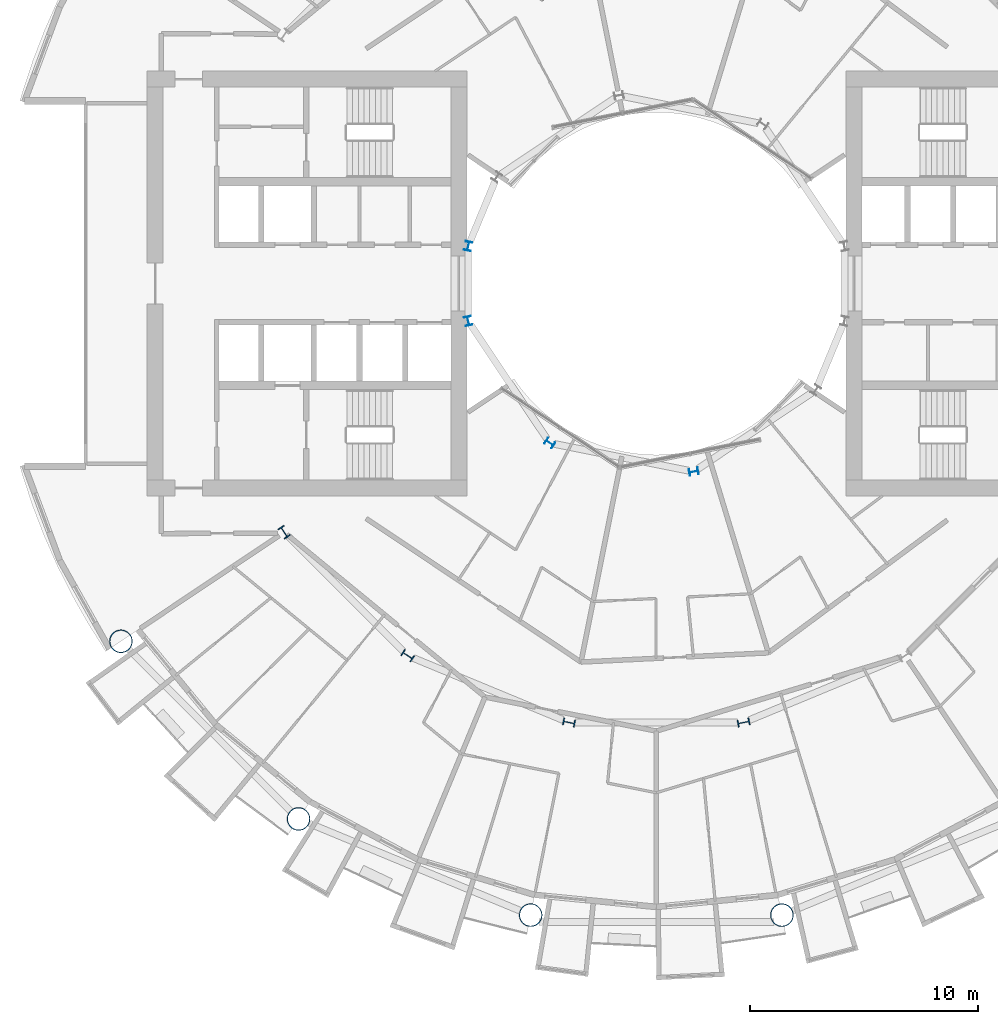
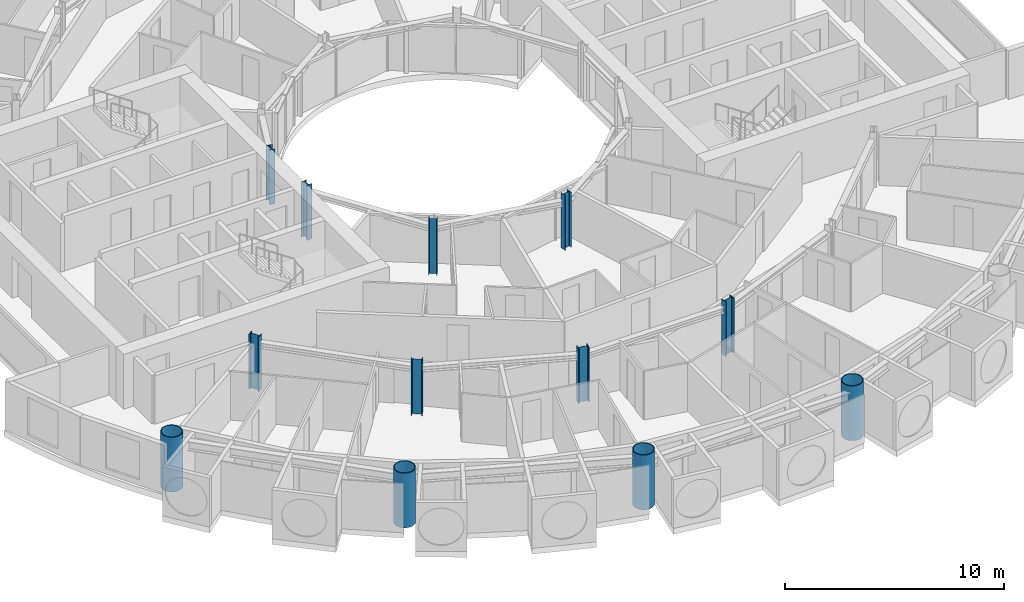
# One storey, part 1 of 26: 12 columns.
"""IFC4 building model written with IfcOpenShell, lengths in metres."""

from ifc_helpers import new_model, si_unit, direction, frame, origin, origin_2d, place, context, subcontext, project, spatial, hollow_circle, i_section, extrude, material, material_profile, profile_set, type_object, element, save


model = new_model("IFC4")

# Units and contexts
model_context = context("Model", 3, precision=1e-05, world=origin(), true_north=direction((0.0, 1.0)))
body_context = subcontext(model_context, "Body", "Model", "MODEL_VIEW")
ifc_project = project(units=[si_unit("LENGTHUNIT", "METRE"), si_unit("AREAUNIT", "SQUARE_METRE"), si_unit("VOLUMEUNIT", "CUBIC_METRE"), si_unit("PLANEANGLEUNIT", "RADIAN"), si_unit("MASSUNIT", "GRAM", prefix="KILO")], contexts=[model_context])

# Site, building, storey
site_placement = place(None, origin())
site = spatial("IfcSite", under=ifc_project, at=site_placement, CompositionType="ELEMENT")
building_placement = place(site_placement, origin())
building = spatial("IfcBuilding", under=site, at=building_placement, Name="Maasbend Ring Residences", CompositionType="ELEMENT")
storey_placement = place(building_placement, frame((0.0, 0.0, 91.050048828125)))
storey = spatial("IfcBuildingStorey", under=building, at=storey_placement, Name="L26", CompositionType="ELEMENT", Elevation=91.050048828125)

# Columns
ifc_material_1 = material(Name="Composite concrete-filled steel tube S460NH / C80/95", Category="concrete")
ifc_material_profile_1 = material_profile(ifc_material_1, hollow_circle(Radius=0.508056640625, WallThickness=0.0400390625, at=origin_2d()), Name="Composite tube column CHS 1016x40")
ifc_profile_set_1 = profile_set([ifc_material_profile_1], Name="Composite concrete-filled steel tube S460NH / C80/95")
column_type_1 = type_object("IfcColumnType", Name="Composite tube column CHS 1016x40", PredefinedType="COLUMN", material=ifc_profile_set_1)
for number, where, z_axis, x_axis, name in (
    (1, (-23.447509765625, -15.6669921875, 0.0), (0.0, 0.0, 1.0), (1.0, 0.0, 0.0), "Outer column R10"),
    (2, (-15.6669921875, -23.447509765625, 0.0), (0.0, 0.0, 1.0), (1.0, 0.0, 0.0), "Outer column R11"),
    (3, (-5.50146484375, -27.658203125, 0.0), (0.0, 0.0, 1.0), (1.0, 0.0, 0.0), "Outer column R12"),
    (4, (5.50146484375, -27.658203125, 0.0), (0.0, 0.0, 1.0), (1.0, 0.0, 0.0), "Outer column R13"),
):
    element("IfcColumn", number, at=place(storey_placement, frame(where, z_axis=z_axis, x_axis=x_axis)), inside=storey, type_object=column_type_1, Name=name, PredefinedType="COLUMN", context=body_context, shape_type="SweptSolid", body=[
        extrude(hollow_circle(Radius=0.508056640625, WallThickness=0.0400390625, at=origin_2d()), origin(), (0.0, 0.0, 1.0), 3.050048828125),
    ])
ifc_material_2 = material(Name="Steel S355J2", Category="steel")
ifc_material_profile_2 = material_profile(ifc_material_2, i_section(OverallWidth=0.300048828125, OverallDepth=0.39990234375, WebThickness=0.013427734375, FlangeThickness=0.02392578125, FilletRadius=0.027099609375, at=origin_2d()), Name="HEB 400")
ifc_profile_set_2 = profile_set([ifc_material_profile_2], Name="Steel S355J2")
column_type_2 = type_object("IfcColumnType", Name="Steel column HEB 400", PredefinedType="COLUMN", material=ifc_profile_set_2)
for number, where, z_axis, x_axis, name in (
    (5, (-8.238525390625, 1.638916015625, 0.0), (0.0, 0.0, 1.0), (-0.980785280403, 0.195090322016, 0.0), "Well ring column R8"),
    (6, (-8.238525390625, -1.638916015625, 0.0), (0.0, 0.0, 1.0), (-0.980785280403, -0.195090322016, 0.0), "Well ring column R9"),
    (7, (-4.666748046875, -6.984375, 0.0), (0.0, 0.0, 1.0), (-0.55557023302, -0.831469612303, 0.0), "Well ring column R11"),
    (8, (1.638916015625, -8.238525390625, 0.0), (0.0, 0.0, 1.0), (0.195090322016, -0.980785280403, 0.0), "Well ring column R13"),
):
    element("IfcColumn", number, at=place(storey_placement, frame(where, z_axis=z_axis, x_axis=x_axis)), inside=storey, type_object=column_type_2, Name=name, PredefinedType="COLUMN", context=body_context, shape_type="SweptSolid", body=[
        extrude(i_section(OverallWidth=0.300048828125, OverallDepth=0.39990234375, WebThickness=0.013427734375, FlangeThickness=0.02392578125, FilletRadius=0.027099609375, at=origin_2d()), origin(), (0.0, 0.0, 1.0), 3.050048828125),
    ])
ifc_material_3 = material(Name="Steel S460M", Category="steel")
ifc_material_profile_3 = material_profile(ifc_material_3, i_section(OverallWidth=0.305908203125, OverallDepth=0.52392578125, WebThickness=0.02099609375, FlangeThickness=0.0400390625, FilletRadius=0.027099609375, at=origin_2d()), Name="HEM 500")
ifc_profile_set_3 = profile_set([ifc_material_profile_3], Name="Steel S460M")
column_type_3 = type_object("IfcColumnType", Name="Steel column HEM 500", PredefinedType="COLUMN", material=ifc_profile_set_3)
for number, where, z_axis, x_axis, name in (
    (9, (-16.296875, -10.88916015625, 0.0), (0.0, 0.0, 1.0), (-0.831469612303, -0.55557023302, 0.0), "Corridor ring column R10"),
    (10, (-10.88916015625, -16.296875, 0.0), (0.0, 0.0, 1.0), (-0.55557023302, -0.831469612303, 0.0), "Corridor ring column R11"),
    (11, (-3.82373046875, -19.223388671875, 0.0), (0.0, 0.0, 1.0), (-0.195090322016, -0.980785280403, 0.0), "Corridor ring column R12"),
    (12, (3.82373046875, -19.223388671875, 0.0), (0.0, 0.0, 1.0), (0.195090322016, -0.980785280403, 0.0), "Corridor ring column R13"),
):
    element("IfcColumn", number, at=place(storey_placement, frame(where, z_axis=z_axis, x_axis=x_axis)), inside=storey, type_object=column_type_3, Name=name, PredefinedType="COLUMN", context=body_context, shape_type="SweptSolid", body=[
        extrude(i_section(OverallWidth=0.305908203125, OverallDepth=0.52392578125, WebThickness=0.02099609375, FlangeThickness=0.0400390625, FilletRadius=0.027099609375, at=origin_2d()), origin(), (0.0, 0.0, 1.0), 3.050048828125),
    ])

save(model, "model.ifc")
